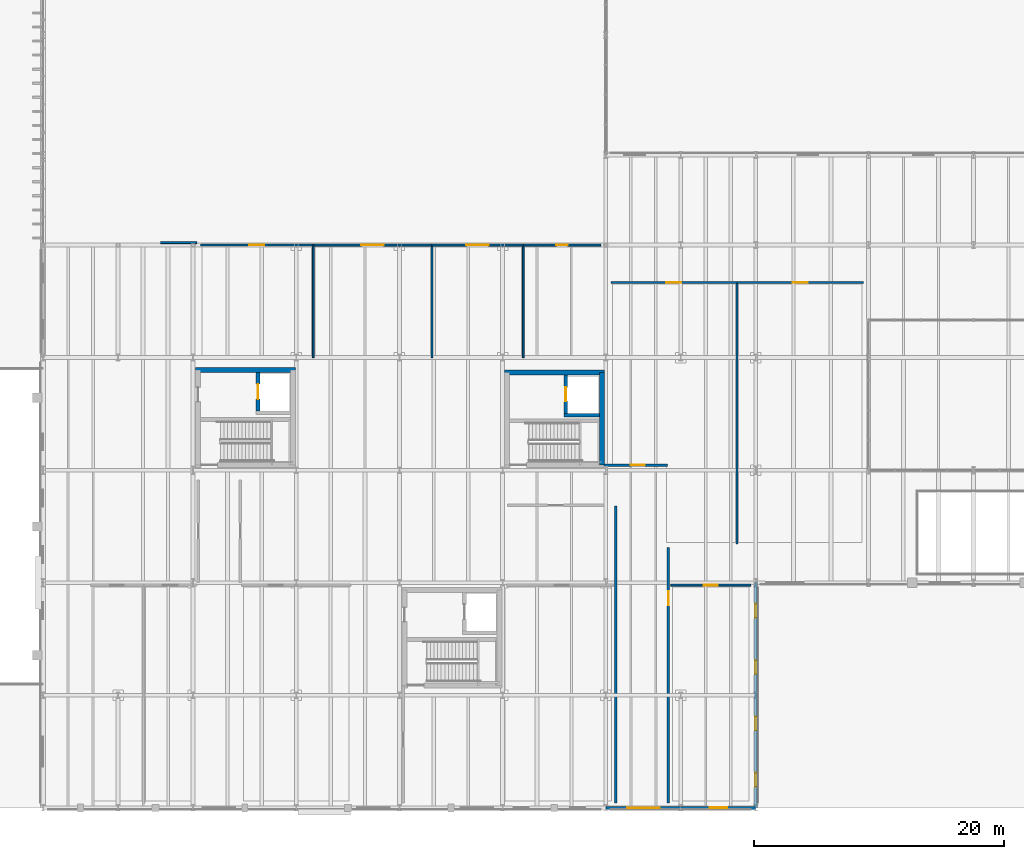
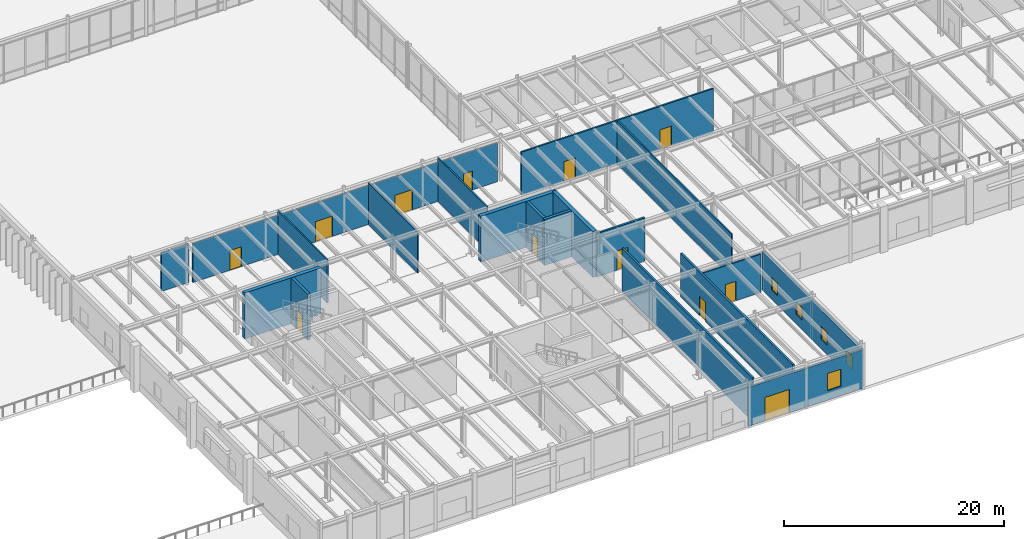
# One storey, part 41 of 64: 23 walls, 12 doors, 5 windows, 17 openings.
"""IFC4 building model written with IfcOpenShell, lengths in metres."""

from ifc_helpers import new_model, si_unit, direction, frame, frame_2d, origin, place, context, subcontext, project, spatial, rectangle, extrude, material, layer, layer_set, type_object, element, fill, save


model = new_model("IFC4")

# Units and contexts
model_context = context("Model", 3, precision=1e-05, world=origin(), true_north=direction((0.0, 1.0)))
body_context = subcontext(model_context, "Body", "Model", "MODEL_VIEW")
ifc_project = project(units=[si_unit("LENGTHUNIT", "METRE"), si_unit("AREAUNIT", "SQUARE_METRE"), si_unit("VOLUMEUNIT", "CUBIC_METRE"), si_unit("PLANEANGLEUNIT", "RADIAN"), si_unit("MASSUNIT", "GRAM", prefix="KILO")], contexts=[model_context])

# Site, building, storey
site_placement = place(None, origin())
site = spatial("IfcSite", under=ifc_project, at=site_placement, CompositionType="ELEMENT")
building_placement = place(site_placement, origin())
building = spatial("IfcBuilding", under=site, at=building_placement, Name="Montealbar Specialist Clinic", CompositionType="ELEMENT")
storey_placement = place(building_placement, origin())
storey = spatial("IfcBuildingStorey", under=building, at=storey_placement, Name="L00", CompositionType="ELEMENT", Elevation=0.0)

# Wall, opening, door
ifc_material_1 = material(Name="Concrete C35/45", Category="concrete")
ifc_layer_1 = layer(ifc_material_1, 0.300048828125, Name="Concrete C35/45", Category="concrete")
ifc_layer_set_1 = layer_set([ifc_layer_1], Name="Concrete C35/45")
wall_type_1 = type_object("IfcWallType", Name="WL-CORE-300", PredefinedType="SHEAR", material=ifc_layer_set_1)
wall_1_placement = place(storey_placement, frame((71.199951171875, 31.75, 0.0), z_axis=(0.0, 0.0, 1.0), x_axis=(0.0, 1.0, 0.0)))
wall_1 = element("IfcWall", 1, at=wall_1_placement, inside=storey, type_object=wall_type_1, Name="Lift FL-01 Shaft Wall L00 LW", PredefinedType="SHEAR", context=body_context, shape_type="SweptSolid", body=[
    extrude(rectangle(XDim=3.050048828125, YDim=0.300048828125, at=frame_2d((1.52490234375, 0.0))), origin(), (0.0, 0.0, 1.0), 5.10009765625),
])
opening_1_placement = place(wall_1_placement, frame((0.925048828125, 0.0, 0.0)))
opening_1 = element("IfcOpeningElement", 2, at=opening_1_placement, cuts=wall_1, Name="Opening LD-12", PredefinedType="OPENING", context=body_context, shape_type="SweptSolid", body=[
    extrude(rectangle(XDim=1.199951171875, YDim=2.14990234375, at=frame_2d((0.60009765625, 1.074951171875))), frame((0.0, 0.159912109375, 0.0), z_axis=(0.0, -1.0, 0.0), x_axis=(1.0, 0.0, 0.0)), (0.0, 0.0, 1.0), 0.320068359375),
])
ifc_material_2 = material(Name="Steel S355", Category="steel")
door_type_1 = type_object("IfcDoorType", Name="DR-LIFT-LD1200", OperationType="DOUBLE_DOOR_SLIDING", PredefinedType="DOOR", material=ifc_material_2)
door_1_placement = place(opening_1_placement, origin())
door_1 = element("IfcDoor", 3, at=door_1_placement, inside=storey, type_object=door_type_1, Name="Lift FL-01 Sliding Landing Door L00", OperationType="DOUBLE_DOOR_SLIDING", OverallHeight=2.14990234375, OverallWidth=1.199951171875, PredefinedType="DOOR", context=body_context, shape_type="SweptSolid", body=[
    extrude(rectangle(XDim=1.199951171875, YDim=2.14990234375, at=frame_2d((0.60009765625, 1.074951171875))), frame((0.0, 0.02490234375, 0.0), z_axis=(0.0, -1.0, 0.0), x_axis=(1.0, 0.0, 0.0)), (0.0, 0.0, 1.0), 0.050048828125),
])
fill(opening_1, door_1)

# Wall
wall_2_placement = place(storey_placement, frame((95.64990234375, 31.39990234375, 0.0), z_axis=(0.0, 0.0, 1.0), x_axis=(1.0, 0.0, 0.0)))
element("IfcWall", 4, at=wall_2_placement, inside=storey, type_object=wall_type_1, Name="Lift LF-03 Shaft Wall L00 LS", PredefinedType="SHEAR", context=body_context, shape_type="SweptSolid", body=[
    extrude(rectangle(XDim=2.85009765625, YDim=0.300048828125, at=frame_2d((1.425048828125, 0.0))), origin(), (0.0, 0.0, 1.0), 5.10009765625),
])

# Wall, opening, door
wall_3_placement = place(storey_placement, frame((95.800048828125, 31.550048828125, 0.0), z_axis=(0.0, 0.0, 1.0), x_axis=(0.0, 1.0, 0.0)))
wall_3 = element("IfcWall", 5, at=wall_3_placement, inside=storey, type_object=wall_type_1, Name="Lift LF-03 Shaft Wall L00 LW", PredefinedType="SHEAR", context=body_context, shape_type="SweptSolid", body=[
    extrude(rectangle(XDim=3.050048828125, YDim=0.300048828125, at=frame_2d((1.52490234375, 0.0))), origin(), (0.0, 0.0, 1.0), 5.10009765625),
])
opening_2_placement = place(wall_3_placement, frame((0.97509765625, 0.0, 0.0)))
opening_2 = element("IfcOpeningElement", 6, at=opening_2_placement, cuts=wall_3, Name="Opening LD-11", PredefinedType="OPENING", context=body_context, shape_type="SweptSolid", body=[
    extrude(rectangle(XDim=1.10009765625, YDim=2.14990234375, at=frame_2d((0.550048828125, 1.074951171875))), frame((0.0, 0.159912109375, 0.0), z_axis=(0.0, -1.0, 0.0), x_axis=(1.0, 0.0, 0.0)), (0.0, 0.0, 1.0), 0.320068359375),
])
door_type_2 = type_object("IfcDoorType", Name="DR-LIFT-LD1100", OperationType="DOUBLE_DOOR_SLIDING", PredefinedType="DOOR", material=ifc_material_2)
door_2_placement = place(opening_2_placement, origin())
door_2 = element("IfcDoor", 7, at=door_2_placement, inside=storey, type_object=door_type_2, Name="Lift LF-03 Sliding Landing Door L00", OperationType="DOUBLE_DOOR_SLIDING", OverallHeight=2.14990234375, OverallWidth=1.10009765625, PredefinedType="DOOR", context=body_context, shape_type="SweptSolid", body=[
    extrude(rectangle(XDim=1.10009765625, YDim=2.14990234375, at=frame_2d((0.550048828125, 1.074951171875))), frame((0.0, 0.02490234375, 0.0), z_axis=(0.0, -1.0, 0.0), x_axis=(1.0, 0.0, 0.0)), (0.0, 0.0, 1.0), 0.050048828125),
])
fill(opening_2, door_2)

# Walls
ifc_layer_2 = layer(ifc_material_1, 0.39990234375, Name="Concrete C35/45", Category="concrete")
ifc_layer_set_2 = layer_set([ifc_layer_2], Name="Concrete C35/45")
wall_type_2 = type_object("IfcWallType", Name="WL-CORE-400", PredefinedType="SHEAR", material=ifc_layer_set_2)
for number, where, z_axis, x_axis, name in (
    (8, (66.199951171875, 35.0, 0.0), (0.0, 0.0, 1.0), (1.0, 0.0, 0.0), "Core C3 Shear Wall L00 N"),
    (9, (90.89990234375, 34.800048828125, 0.0), (0.0, 0.0, 1.0), (1.0, 0.0, 0.0), "Core C5 Shear Wall L00 N"),
):
    element("IfcWall", number, at=place(storey_placement, frame(where, z_axis=z_axis, x_axis=x_axis)), inside=storey, type_object=wall_type_2, Name=name, PredefinedType="SHEAR", context=body_context, shape_type="SweptSolid", body=[
        extrude(rectangle(XDim=8.0, YDim=0.39990234375, at=frame_2d((4.0, 0.0))), origin(), (0.0, 0.0, 1.0), 5.10009765625),
    ])
wall_4_placement = place(storey_placement, frame((98.699951171875, 27.39990234375, 0.0), z_axis=(0.0, 0.0, 1.0), x_axis=(0.0, 1.0, 0.0)))
element("IfcWall", 10, at=wall_4_placement, inside=storey, type_object=wall_type_2, Name="Core C5 Shear Wall L00 E", PredefinedType="SHEAR", context=body_context, shape_type="SweptSolid", body=[
    extrude(rectangle(XDim=7.400146484375, YDim=0.39990234375, at=frame_2d((3.7001953125, 0.0))), origin(), (0.0, 0.0, 1.0), 5.10009765625),
])

# Wall, openings, door, window
ifc_material_3 = material(Name="Precast concrete C40/50", Category="concrete")
ifc_layer_3 = layer(ifc_material_3, 0.239990234375, Name="Precast concrete C40/50", Category="concrete")
ifc_layer_set_3 = layer_set([ifc_layer_3], Name="Precast concrete C40/50")
wall_type_3 = type_object("IfcWallType", Name="WL-EXT-CLINIC-240", PredefinedType="SOLIDWALL", material=ifc_layer_set_3)
wall_5_placement = place(storey_placement, frame((111.0, 0.0, 0.0), z_axis=(0.0, 0.0, 1.0), x_axis=(-1.0, 0.0, 0.0)))
wall_5 = element("IfcWall", 11, at=wall_5_placement, inside=storey, type_object=wall_type_3, Name="Exterior Facade Wall EW-L00-014", PredefinedType="SOLIDWALL", context=body_context, shape_type="SweptSolid", body=[
    extrude(rectangle(XDim=12.0, YDim=0.239990234375, at=frame_2d((6.0, 0.0))), origin(), (0.0, 0.0, 1.0), 4.31005859375),
])
opening_3_placement = place(wall_5_placement, frame((7.699951171875, 0.0, 0.0)))
opening_3 = element("IfcOpeningElement", 12, at=opening_3_placement, cuts=wall_5, Name="Opening ED-26", PredefinedType="OPENING", context=body_context, shape_type="SweptSolid", body=[
    extrude(rectangle(XDim=2.60009765625, YDim=2.60009765625, at=frame_2d((1.300048828125, 1.300048828125))), frame((0.0, 0.1298828125, 0.0), z_axis=(0.0, -1.0, 0.0), x_axis=(1.0, 0.0, 0.0)), (0.0, 0.0, 1.0), 0.260009765625),
])
opening_4_placement = place(wall_5_placement, frame((2.300048828125, 0.0, 1.050048828125)))
opening_4 = element("IfcOpeningElement", 13, at=opening_4_placement, cuts=wall_5, Name="Opening WN-14", PredefinedType="OPENING", context=body_context, shape_type="SweptSolid", body=[
    extrude(rectangle(XDim=1.39990234375, YDim=1.89990234375, at=frame_2d((0.699951171875, 0.949951171875))), frame((0.0, 0.1298828125, 0.0), z_axis=(0.0, -1.0, 0.0), x_axis=(1.0, 0.0, 0.0)), (0.0, 0.0, 1.0), 0.260009765625),
])
ifc_material_4 = material(Name="Powder-coated aluminium", Category="aluminium")
door_type_3 = type_object("IfcDoorType", Name="DR-PLAZA-W2600", OperationType="DOUBLE_DOOR_SINGLE_SWING", PredefinedType="DOOR", material=ifc_material_4)
door_3_placement = place(opening_3_placement, origin())
door_3 = element("IfcDoor", 14, at=door_3_placement, inside=storey, type_object=door_type_3, Name="Main South Clinical Entrance Portal EX-05", OperationType="DOUBLE_DOOR_SINGLE_SWING", OverallHeight=2.60009765625, OverallWidth=2.60009765625, PredefinedType="DOOR", context=body_context, shape_type="SweptSolid", body=[
    extrude(rectangle(XDim=2.60009765625, YDim=2.60009765625, at=frame_2d((1.300048828125, 1.300048828125))), frame((0.0, 0.02490234375, 0.0), z_axis=(0.0, -1.0, 0.0), x_axis=(1.0, 0.0, 0.0)), (0.0, 0.0, 1.0), 0.050048828125),
])
fill(opening_3, door_3)
ifc_material_5 = material(Name="Low-E double glazing", Category="glass")
window_type_1 = type_object("IfcWindowType", Name="WIN-WN-14", PartitioningType="SINGLE_PANEL", PredefinedType="WINDOW", material=ifc_material_5)
window_1_placement = place(opening_4_placement, origin())
window_1 = element("IfcWindow", 15, at=window_1_placement, inside=storey, type_object=window_type_1, Name="Clinical Facade Window WN-14 L00-0045", OverallHeight=1.89990234375, OverallWidth=1.39990234375, PartitioningType="SINGLE_PANEL", PredefinedType="WINDOW", context=body_context, shape_type="SweptSolid", body=[
    extrude(rectangle(XDim=1.39990234375, YDim=1.89990234375, at=frame_2d((0.699951171875, 0.949951171875))), frame((0.0, 0.030029296875, 0.0), z_axis=(0.0, -1.0, 0.0), x_axis=(1.0, 0.0, 0.0)), (0.0, 0.0, 1.0), 0.06005859375),
])
fill(opening_4, window_1)

# Wall, openings, windows
ifc_material_6 = material(Name="Terracotta architectural cladding", Category="masonry")
ifc_layer_4 = layer(ifc_material_6, 0.260009765625, Name="Terracotta architectural cladding", Category="masonry")
ifc_layer_set_4 = layer_set([ifc_layer_4], Name="Terracotta architectural cladding")
wall_type_4 = type_object("IfcWallType", Name="WL-EXT-TERRA-260", PredefinedType="SOLIDWALL", material=ifc_layer_set_4)
wall_6_placement = place(storey_placement, frame((111.0, 18.0, 0.0), z_axis=(0.0, 0.0, 1.0), x_axis=(0.0, -1.0, 0.0)))
wall_6 = element("IfcWall", 16, at=wall_6_placement, inside=storey, type_object=wall_type_4, Name="Exterior Facade Wall EW-L00-013", PredefinedType="SOLIDWALL", context=body_context, shape_type="SweptSolid", body=[
    extrude(rectangle(XDim=18.0, YDim=0.260009765625, at=frame_2d((9.0, 0.0))), origin(), (0.0, 0.0, 1.0), 4.31005859375),
])
opening_5_placement = place(wall_6_placement, frame((1.699951171875, 0.0, 1.050048828125)))
opening_5 = element("IfcOpeningElement", 17, at=opening_5_placement, cuts=wall_6, Name="Opening WN-13", PredefinedType="OPENING", context=body_context, shape_type="SweptSolid", body=[
    extrude(rectangle(XDim=1.10009765625, YDim=1.39990234375, at=frame_2d((0.550048828125, 0.699951171875))), frame((0.0, 0.139892578125, 0.0), z_axis=(0.0, -1.0, 0.0), x_axis=(1.0, 0.0, 0.0)), (0.0, 0.0, 1.0), 0.280029296875),
])
opening_6_placement = place(wall_6_placement, frame((6.199951171875, 0.0, 1.050048828125)))
opening_6 = element("IfcOpeningElement", 18, at=opening_6_placement, cuts=wall_6, Name="Opening WN-13", PredefinedType="OPENING", context=body_context, shape_type="SweptSolid", body=[
    extrude(rectangle(XDim=1.10009765625, YDim=1.39990234375, at=frame_2d((0.550048828125, 0.699951171875))), frame((0.0, 0.139892578125, 0.0), z_axis=(0.0, -1.0, 0.0), x_axis=(1.0, 0.0, 0.0)), (0.0, 0.0, 1.0), 0.280029296875),
])
opening_7_placement = place(wall_6_placement, frame((10.699951171875, 0.0, 1.050048828125)))
opening_7 = element("IfcOpeningElement", 19, at=opening_7_placement, cuts=wall_6, Name="Opening WN-13", PredefinedType="OPENING", context=body_context, shape_type="SweptSolid", body=[
    extrude(rectangle(XDim=1.10009765625, YDim=1.39990234375, at=frame_2d((0.550048828125, 0.699951171875))), frame((0.0, 0.139892578125, 0.0), z_axis=(0.0, -1.0, 0.0), x_axis=(1.0, 0.0, 0.0)), (0.0, 0.0, 1.0), 0.280029296875),
])
opening_8_placement = place(wall_6_placement, frame((15.199951171875, 0.0, 1.050048828125)))
opening_8 = element("IfcOpeningElement", 20, at=opening_8_placement, cuts=wall_6, Name="Opening WN-13", PredefinedType="OPENING", context=body_context, shape_type="SweptSolid", body=[
    extrude(rectangle(XDim=1.10009765625, YDim=1.39990234375, at=frame_2d((0.550048828125, 0.699951171875))), frame((0.0, 0.139892578125, 0.0), z_axis=(0.0, -1.0, 0.0), x_axis=(1.0, 0.0, 0.0)), (0.0, 0.0, 1.0), 0.280029296875),
])
window_type_2 = type_object("IfcWindowType", Name="WIN-WN-13", PartitioningType="SINGLE_PANEL", PredefinedType="WINDOW", material=ifc_material_5)
window_2_placement = place(opening_5_placement, origin())
window_2 = element("IfcWindow", 21, at=window_2_placement, inside=storey, type_object=window_type_2, Name="Clinical Facade Window WN-13 L00-0041", OverallHeight=1.39990234375, OverallWidth=1.10009765625, PartitioningType="SINGLE_PANEL", PredefinedType="WINDOW", context=body_context, shape_type="SweptSolid", body=[
    extrude(rectangle(XDim=1.10009765625, YDim=1.39990234375, at=frame_2d((0.550048828125, 0.699951171875))), frame((0.0, 0.030029296875, 0.0), z_axis=(0.0, -1.0, 0.0), x_axis=(1.0, 0.0, 0.0)), (0.0, 0.0, 1.0), 0.06005859375),
])
fill(opening_5, window_2)
window_3_placement = place(opening_6_placement, origin())
window_3 = element("IfcWindow", 22, at=window_3_placement, inside=storey, type_object=window_type_2, Name="Clinical Facade Window WN-13 L00-0042", OverallHeight=1.39990234375, OverallWidth=1.10009765625, PartitioningType="SINGLE_PANEL", PredefinedType="WINDOW", context=body_context, shape_type="SweptSolid", body=[
    extrude(rectangle(XDim=1.10009765625, YDim=1.39990234375, at=frame_2d((0.550048828125, 0.699951171875))), frame((0.0, 0.030029296875, 0.0), z_axis=(0.0, -1.0, 0.0), x_axis=(1.0, 0.0, 0.0)), (0.0, 0.0, 1.0), 0.06005859375),
])
fill(opening_6, window_3)
window_4_placement = place(opening_7_placement, origin())
window_4 = element("IfcWindow", 23, at=window_4_placement, inside=storey, type_object=window_type_2, Name="Clinical Facade Window WN-13 L00-0043", OverallHeight=1.39990234375, OverallWidth=1.10009765625, PartitioningType="SINGLE_PANEL", PredefinedType="WINDOW", context=body_context, shape_type="SweptSolid", body=[
    extrude(rectangle(XDim=1.10009765625, YDim=1.39990234375, at=frame_2d((0.550048828125, 0.699951171875))), frame((0.0, 0.030029296875, 0.0), z_axis=(0.0, -1.0, 0.0), x_axis=(1.0, 0.0, 0.0)), (0.0, 0.0, 1.0), 0.06005859375),
])
fill(opening_7, window_4)
window_5_placement = place(opening_8_placement, origin())
window_5 = element("IfcWindow", 24, at=window_5_placement, inside=storey, type_object=window_type_2, Name="Clinical Facade Window WN-13 L00-0044", OverallHeight=1.39990234375, OverallWidth=1.10009765625, PartitioningType="SINGLE_PANEL", PredefinedType="WINDOW", context=body_context, shape_type="SweptSolid", body=[
    extrude(rectangle(XDim=1.10009765625, YDim=1.39990234375, at=frame_2d((0.550048828125, 0.699951171875))), frame((0.0, 0.030029296875, 0.0), z_axis=(0.0, -1.0, 0.0), x_axis=(1.0, 0.0, 0.0)), (0.0, 0.0, 1.0), 0.06005859375),
])
fill(opening_8, window_5)

# Walls
ifc_material_7 = material(Name="Gypsum acoustic partition", Category="gypsum")
ifc_layer_5 = layer(ifc_material_7, 0.139892578125, Name="Gypsum acoustic partition", Category="gypsum")
ifc_layer_set_5 = layer_set([ifc_layer_5], Name="Gypsum acoustic partition")
wall_type_5 = type_object("IfcWallType", Name="WL-PART-ACOUSTIC-140", PredefinedType="PARTITIONING", material=ifc_layer_set_5)
wall_7_placement = place(storey_placement, frame((75.60009765625, 36.0, 0.0), z_axis=(0.0, 0.0, 1.0), x_axis=(0.0, 1.0, 0.0)))
element("IfcWall", 25, at=wall_7_placement, inside=storey, type_object=wall_type_5, Name="Clinical Partition PART-L00-0049", PredefinedType="PARTITIONING", context=body_context, shape_type="SweptSolid", body=[
    extrude(rectangle(XDim=9.0, YDim=0.139892578125, at=frame_2d((4.5, 0.0))), origin(), (0.0, 0.0, 1.0), 4.820068359375),
])
wall_8_placement = place(storey_placement, frame((85.10009765625, 36.0, 0.0), z_axis=(0.0, 0.0, 1.0), x_axis=(0.0, 1.0, 0.0)))
element("IfcWall", 26, at=wall_8_placement, inside=storey, type_object=wall_type_5, Name="Clinical Partition PART-L00-0051", PredefinedType="PARTITIONING", context=body_context, shape_type="SweptSolid", body=[
    extrude(rectangle(XDim=9.0, YDim=0.139892578125, at=frame_2d((4.5, 0.0))), origin(), (0.0, 0.0, 1.0), 4.580078125),
])
wall_9_placement = place(storey_placement, frame((92.39990234375, 36.0, 0.0), z_axis=(0.0, 0.0, 1.0), x_axis=(0.0, 1.0, 0.0)))
element("IfcWall", 27, at=wall_9_placement, inside=storey, type_object=wall_type_5, Name="Clinical Partition PART-L00-0053", PredefinedType="PARTITIONING", context=body_context, shape_type="SweptSolid", body=[
    extrude(rectangle(XDim=9.0, YDim=0.139892578125, at=frame_2d((4.5, 0.0))), origin(), (0.0, 0.0, 1.0), 4.820068359375),
])
wall_10_placement = place(storey_placement, frame((109.5, 21.10009765625, 0.0), z_axis=(0.0, 0.0, 1.0), x_axis=(0.0, 1.0, 0.0)))
element("IfcWall", 28, at=wall_10_placement, inside=storey, type_object=wall_type_5, Name="Clinical Partition PART-L00-0062", PredefinedType="PARTITIONING", context=body_context, shape_type="SweptSolid", body=[
    extrude(rectangle(XDim=20.89990234375, YDim=0.139892578125, at=frame_2d((10.449951171875, 0.0))), origin(), (0.0, 0.0, 1.0), 4.820068359375),
])
ifc_layer_6 = layer(ifc_material_7, 0.159912109375, Name="Gypsum acoustic partition", Category="gypsum")
ifc_layer_set_6 = layer_set([ifc_layer_6], Name="Gypsum acoustic partition")
wall_type_6 = type_object("IfcWallType", Name="WL-PART-CLINIC-160", PredefinedType="PARTITIONING", material=ifc_layer_set_6)
wall_11_placement = place(storey_placement, frame((63.39990234375, 45.199951171875, 0.0), z_axis=(0.0, 0.0, 1.0), x_axis=(1.0, 0.0, 0.0)))
element("IfcWall", 29, at=wall_11_placement, inside=storey, type_object=wall_type_6, Name="Clinical Partition PART-L00-0047", PredefinedType="PARTITIONING", context=body_context, shape_type="SweptSolid", body=[
    extrude(rectangle(XDim=2.900146484375, YDim=0.159912109375, at=frame_2d((1.4501953125, 0.0))), origin(), (0.0, 0.0, 1.0), 4.31005859375),
])

# Wall, opening, door
wall_12_placement = place(storey_placement, frame((66.60009765625, 45.0, 0.0), z_axis=(0.0, 0.0, 1.0), x_axis=(1.0, 0.0, 0.0)))
wall_12 = element("IfcWall", 30, at=wall_12_placement, inside=storey, type_object=wall_type_6, Name="Clinical Partition PART-L00-0048", PredefinedType="PARTITIONING", context=body_context, shape_type="SweptSolid", body=[
    extrude(rectangle(XDim=9.0, YDim=0.159912109375, at=frame_2d((4.5, 0.0))), origin(), (0.0, 0.0, 1.0), 4.31005859375),
])
opening_9_placement = place(wall_12_placement, frame((3.89990234375, 0.0, 0.0)))
opening_9 = element("IfcOpeningElement", 31, at=opening_9_placement, cuts=wall_12, Name="Opening ID-120", PredefinedType="OPENING", context=body_context, shape_type="SweptSolid", body=[
    extrude(rectangle(XDim=1.199951171875, YDim=2.199951171875, at=frame_2d((0.60009765625, 1.10009765625))), frame((0.0, 0.08984375, 0.0), z_axis=(0.0, -1.0, 0.0), x_axis=(1.0, 0.0, 0.0)), (0.0, 0.0, 1.0), 0.179931640625),
])
ifc_material_8 = material(Name="Acoustic timber leaf", Category="wood")
door_type_4 = type_object("IfcDoorType", Name="DR-CLIN-W1200", OperationType="NOTDEFINED", PredefinedType="DOOR", material=ifc_material_8)
door_4_placement = place(opening_9_placement, origin())
door_4 = element("IfcDoor", 32, at=door_4_placement, inside=storey, type_object=door_type_4, Name="Clinical Room Door IDR-L00-0034", OperationType="SINGLE_SWING_RIGHT", OverallHeight=2.199951171875, OverallWidth=1.199951171875, PredefinedType="DOOR", context=body_context, shape_type="SweptSolid", body=[
    extrude(rectangle(XDim=1.199951171875, YDim=2.199951171875, at=frame_2d((0.60009765625, 1.10009765625))), frame((0.0, 0.02490234375, 0.0), z_axis=(0.0, -1.0, 0.0), x_axis=(1.0, 0.0, 0.0)), (0.0, 0.0, 1.0), 0.050048828125),
])
fill(opening_9, door_4)

wall_13_placement = place(storey_placement, frame((75.60009765625, 45.0, 0.0), z_axis=(0.0, 0.0, 1.0), x_axis=(1.0, 0.0, 0.0)))
wall_13 = element("IfcWall", 33, at=wall_13_placement, inside=storey, type_object=wall_type_6, Name="Clinical Partition PART-L00-0050", PredefinedType="PARTITIONING", context=body_context, shape_type="SweptSolid", body=[
    extrude(rectangle(XDim=9.5, YDim=0.159912109375, at=frame_2d((4.75, 0.0))), origin(), (0.0, 0.0, 1.0), 4.31005859375),
])
opening_10_placement = place(wall_13_placement, frame((3.85009765625, 0.0, 0.0)))
opening_10 = element("IfcOpeningElement", 34, at=opening_10_placement, cuts=wall_13, Name="Opening ID-180", PredefinedType="OPENING", context=body_context, shape_type="SweptSolid", body=[
    extrude(rectangle(XDim=1.800048828125, YDim=2.25, at=frame_2d((0.89990234375, 1.125))), frame((0.0, 0.08984375, 0.0), z_axis=(0.0, -1.0, 0.0), x_axis=(1.0, 0.0, 0.0)), (0.0, 0.0, 1.0), 0.179931640625),
])
door_type_5 = type_object("IfcDoorType", Name="DR-DBL-W1800", OperationType="DOUBLE_DOOR_SINGLE_SWING", PredefinedType="DOOR", material=ifc_material_8)
door_5_placement = place(opening_10_placement, origin())
door_5 = element("IfcDoor", 35, at=door_5_placement, inside=storey, type_object=door_type_5, Name="Clinical Room Door IDR-L00-0035", OperationType="DOUBLE_DOOR_SINGLE_SWING", OverallHeight=2.25, OverallWidth=1.800048828125, PredefinedType="DOOR", context=body_context, shape_type="SweptSolid", body=[
    extrude(rectangle(XDim=1.800048828125, YDim=2.25, at=frame_2d((0.89990234375, 1.125))), frame((0.0, 0.02490234375, 0.0), z_axis=(0.0, -1.0, 0.0), x_axis=(1.0, 0.0, 0.0)), (0.0, 0.0, 1.0), 0.050048828125),
])
fill(opening_10, door_5)

wall_14_placement = place(storey_placement, frame((85.10009765625, 45.0, 0.0), z_axis=(0.0, 0.0, 1.0), x_axis=(1.0, 0.0, 0.0)))
wall_14 = element("IfcWall", 36, at=wall_14_placement, inside=storey, type_object=wall_type_6, Name="Clinical Partition PART-L00-0052", PredefinedType="PARTITIONING", context=body_context, shape_type="SweptSolid", body=[
    extrude(rectangle(XDim=7.2998046875, YDim=0.159912109375, at=frame_2d((3.64990234375, 0.0))), origin(), (0.0, 0.0, 1.0), 4.31005859375),
])
opening_11_placement = place(wall_14_placement, frame((2.75, 0.0, 0.0)))
opening_11 = element("IfcOpeningElement", 37, at=opening_11_placement, cuts=wall_14, Name="Opening ID-180", PredefinedType="OPENING", context=body_context, shape_type="SweptSolid", body=[
    extrude(rectangle(XDim=1.800048828125, YDim=2.25, at=frame_2d((0.89990234375, 1.125))), frame((0.0, 0.08984375, 0.0), z_axis=(0.0, -1.0, 0.0), x_axis=(1.0, 0.0, 0.0)), (0.0, 0.0, 1.0), 0.179931640625),
])
door_6_placement = place(opening_11_placement, origin())
door_6 = element("IfcDoor", 38, at=door_6_placement, inside=storey, type_object=door_type_5, Name="Clinical Room Door IDR-L00-0036", OperationType="DOUBLE_DOOR_SINGLE_SWING", OverallHeight=2.25, OverallWidth=1.800048828125, PredefinedType="DOOR", context=body_context, shape_type="SweptSolid", body=[
    extrude(rectangle(XDim=1.800048828125, YDim=2.25, at=frame_2d((0.89990234375, 1.125))), frame((0.0, 0.02490234375, 0.0), z_axis=(0.0, -1.0, 0.0), x_axis=(1.0, 0.0, 0.0)), (0.0, 0.0, 1.0), 0.050048828125),
])
fill(opening_11, door_6)

wall_15_placement = place(storey_placement, frame((92.39990234375, 45.0, 0.0), z_axis=(0.0, 0.0, 1.0), x_axis=(1.0, 0.0, 0.0)))
wall_15 = element("IfcWall", 39, at=wall_15_placement, inside=storey, type_object=wall_type_6, Name="Clinical Partition PART-L00-0054", PredefinedType="PARTITIONING", context=body_context, shape_type="SweptSolid", body=[
    extrude(rectangle(XDim=6.2001953125, YDim=0.159912109375, at=frame_2d((3.10009765625, 0.0))), origin(), (0.0, 0.0, 1.0), 4.31005859375),
])
opening_12_placement = place(wall_15_placement, frame((2.625, 0.0, 0.0)))
opening_12 = element("IfcOpeningElement", 40, at=opening_12_placement, cuts=wall_15, Name="Opening ID-095", PredefinedType="OPENING", context=body_context, shape_type="SweptSolid", body=[
    extrude(rectangle(XDim=0.949951171875, YDim=2.10009765625, at=frame_2d((0.47509765625, 1.050048828125))), frame((0.0, 0.08984375, 0.0), z_axis=(0.0, -1.0, 0.0), x_axis=(1.0, 0.0, 0.0)), (0.0, 0.0, 1.0), 0.179931640625),
])
door_type_6 = type_object("IfcDoorType", Name="DR-WC-W0950", OperationType="NOTDEFINED", PredefinedType="DOOR", material=ifc_material_8)
door_7_placement = place(opening_12_placement, origin())
door_7 = element("IfcDoor", 41, at=door_7_placement, inside=storey, type_object=door_type_6, Name="Clinical Room Door IDR-L00-0037", OperationType="SINGLE_SWING_LEFT", OverallHeight=2.10009765625, OverallWidth=0.949951171875, PredefinedType="DOOR", context=body_context, shape_type="SweptSolid", body=[
    extrude(rectangle(XDim=0.949951171875, YDim=2.10009765625, at=frame_2d((0.47509765625, 1.050048828125))), frame((0.0, 0.02490234375, 0.0), z_axis=(0.0, -1.0, 0.0), x_axis=(1.0, 0.0, 0.0)), (0.0, 0.0, 1.0), 0.050048828125),
])
fill(opening_12, door_7)

wall_16_placement = place(storey_placement, frame((104.199951171875, 17.800048828125, 0.0), z_axis=(0.0, 0.0, 1.0), x_axis=(1.0, 0.0, 0.0)))
wall_16 = element("IfcWall", 42, at=wall_16_placement, inside=storey, type_object=wall_type_6, Name="Clinical Partition PART-L00-0060", PredefinedType="PARTITIONING", context=body_context, shape_type="SweptSolid", body=[
    extrude(rectangle(XDim=6.400146484375, YDim=0.159912109375, at=frame_2d((3.2001953125, 0.0))), origin(), (0.0, 0.0, 1.0), 4.260009765625),
])
opening_13_placement = place(wall_16_placement, frame((2.64990234375, 0.0, 0.0)))
opening_13 = element("IfcOpeningElement", 43, at=opening_13_placement, cuts=wall_16, Name="Opening ID-110", PredefinedType="OPENING", context=body_context, shape_type="SweptSolid", body=[
    extrude(rectangle(XDim=1.10009765625, YDim=2.14990234375, at=frame_2d((0.550048828125, 1.074951171875))), frame((0.0, 0.08984375, 0.0), z_axis=(0.0, -1.0, 0.0), x_axis=(1.0, 0.0, 0.0)), (0.0, 0.0, 1.0), 0.179931640625),
])
door_type_7 = type_object("IfcDoorType", Name="DR-CLIN-W1100", OperationType="NOTDEFINED", PredefinedType="DOOR", material=ifc_material_8)
door_8_placement = place(opening_13_placement, origin())
door_8 = element("IfcDoor", 44, at=door_8_placement, inside=storey, type_object=door_type_7, Name="Clinical Room Door IDR-L00-0042", OperationType="SINGLE_SWING_RIGHT", OverallHeight=2.14990234375, OverallWidth=1.10009765625, PredefinedType="DOOR", context=body_context, shape_type="SweptSolid", body=[
    extrude(rectangle(XDim=1.10009765625, YDim=2.14990234375, at=frame_2d((0.550048828125, 1.074951171875))), frame((0.0, 0.02490234375, 0.0), z_axis=(0.0, -1.0, 0.0), x_axis=(1.0, 0.0, 0.0)), (0.0, 0.0, 1.0), 0.050048828125),
])
fill(opening_13, door_8)

wall_17_placement = place(storey_placement, frame((99.39990234375, 42.0, 0.0), z_axis=(0.0, 0.0, 1.0), x_axis=(1.0, 0.0, 0.0)))
wall_17 = element("IfcWall", 45, at=wall_17_placement, inside=storey, type_object=wall_type_6, Name="Clinical Partition PART-L00-0061", PredefinedType="PARTITIONING", context=body_context, shape_type="SweptSolid", body=[
    extrude(rectangle(XDim=10.10009765625, YDim=0.159912109375, at=frame_2d((5.050048828125, 0.0))), origin(), (0.0, 0.0, 1.0), 4.820068359375),
])
opening_14_placement = place(wall_17_placement, frame((4.449951171875, 0.0, 0.0)))
opening_14 = element("IfcOpeningElement", 46, at=opening_14_placement, cuts=wall_17, Name="Opening ID-120", PredefinedType="OPENING", context=body_context, shape_type="SweptSolid", body=[
    extrude(rectangle(XDim=1.199951171875, YDim=2.199951171875, at=frame_2d((0.60009765625, 1.10009765625))), frame((0.0, 0.08984375, 0.0), z_axis=(0.0, -1.0, 0.0), x_axis=(1.0, 0.0, 0.0)), (0.0, 0.0, 1.0), 0.179931640625),
])
door_9_placement = place(opening_14_placement, origin())
door_9 = element("IfcDoor", 47, at=door_9_placement, inside=storey, type_object=door_type_4, Name="Clinical Room Door IDR-L00-0043", OperationType="SINGLE_SWING_LEFT", OverallHeight=2.199951171875, OverallWidth=1.199951171875, PredefinedType="DOOR", context=body_context, shape_type="SweptSolid", body=[
    extrude(rectangle(XDim=1.199951171875, YDim=2.199951171875, at=frame_2d((0.60009765625, 1.10009765625))), frame((0.0, 0.02490234375, 0.0), z_axis=(0.0, -1.0, 0.0), x_axis=(1.0, 0.0, 0.0)), (0.0, 0.0, 1.0), 0.050048828125),
])
fill(opening_14, door_9)

wall_18_placement = place(storey_placement, frame((109.5, 42.0, 0.0), z_axis=(0.0, 0.0, 1.0), x_axis=(1.0, 0.0, 0.0)))
wall_18 = element("IfcWall", 48, at=wall_18_placement, inside=storey, type_object=wall_type_6, Name="Clinical Partition PART-L00-0063", PredefinedType="PARTITIONING", context=body_context, shape_type="SweptSolid", body=[
    extrude(rectangle(XDim=10.10009765625, YDim=0.159912109375, at=frame_2d((5.050048828125, 0.0))), origin(), (0.0, 0.0, 1.0), 4.820068359375),
])
opening_15_placement = place(wall_18_placement, frame((4.449951171875, 0.0, 0.0)))
opening_15 = element("IfcOpeningElement", 49, at=opening_15_placement, cuts=wall_18, Name="Opening ID-120", PredefinedType="OPENING", context=body_context, shape_type="SweptSolid", body=[
    extrude(rectangle(XDim=1.199951171875, YDim=2.199951171875, at=frame_2d((0.60009765625, 1.10009765625))), frame((0.0, 0.08984375, 0.0), z_axis=(0.0, -1.0, 0.0), x_axis=(1.0, 0.0, 0.0)), (0.0, 0.0, 1.0), 0.179931640625),
])
door_10_placement = place(opening_15_placement, origin())
door_10 = element("IfcDoor", 50, at=door_10_placement, inside=storey, type_object=door_type_4, Name="Clinical Room Door IDR-L00-0044", OperationType="SINGLE_SWING_RIGHT", OverallHeight=2.199951171875, OverallWidth=1.199951171875, PredefinedType="DOOR", context=body_context, shape_type="SweptSolid", body=[
    extrude(rectangle(XDim=1.199951171875, YDim=2.199951171875, at=frame_2d((0.60009765625, 1.10009765625))), frame((0.0, 0.02490234375, 0.0), z_axis=(0.0, -1.0, 0.0), x_axis=(1.0, 0.0, 0.0)), (0.0, 0.0, 1.0), 0.050048828125),
])
fill(opening_15, door_10)

ifc_material_9 = material(Name="Concrete C30/37", Category="concrete")
ifc_layer_7 = layer(ifc_material_9, 0.199951171875, Name="Concrete C30/37", Category="concrete")
ifc_layer_set_7 = layer_set([ifc_layer_7], Name="Concrete C30/37")
wall_type_7 = type_object("IfcWallType", Name="WL-PART-FIRE-200", PredefinedType="PARTITIONING", material=ifc_layer_set_7)
wall_19_placement = place(storey_placement, frame((98.85009765625, 27.39990234375, 0.0), z_axis=(0.0, 0.0, 1.0), x_axis=(1.0, 0.0, 0.0)))
wall_19 = element("IfcWall", 51, at=wall_19_placement, inside=storey, type_object=wall_type_7, Name="Clinical Partition PART-L00-0042", PredefinedType="PARTITIONING", context=body_context, shape_type="SweptSolid", body=[
    extrude(rectangle(XDim=5.099853515625, YDim=0.199951171875, at=frame_2d((2.5498046875, 0.0))), origin(), (0.0, 0.0, 1.0), 4.820068359375),
])
opening_16_placement = place(wall_19_placement, frame((2.159912109375, 0.0, 0.0)))
opening_16 = element("IfcOpeningElement", 52, at=opening_16_placement, cuts=wall_19, Name="Opening FD-110", PredefinedType="OPENING", context=body_context, shape_type="SweptSolid", body=[
    extrude(rectangle(XDim=1.1201171875, YDim=2.14990234375, at=frame_2d((0.56005859375, 1.074951171875))), frame((0.0, 0.10986328125, 0.0), z_axis=(0.0, -1.0, 0.0), x_axis=(1.0, 0.0, 0.0)), (0.0, 0.0, 1.0), 0.219970703125),
])
door_type_8 = type_object("IfcDoorType", Name="DR-FIRE-W1100", OperationType="NOTDEFINED", PredefinedType="DOOR", material=ifc_material_2)
door_11_placement = place(opening_16_placement, frame((1.1201171875, 0.0, 0.0), z_axis=(0.0, 0.0, 1.0), x_axis=(-1.0, 0.0, 0.0)))
door_11 = element("IfcDoor", 53, at=door_11_placement, inside=storey, type_object=door_type_8, Name="Clinical Room Door IDR-L00-0030", OperationType="SINGLE_SWING_RIGHT", OverallHeight=2.14990234375, OverallWidth=1.1201171875, PredefinedType="DOOR", context=body_context, shape_type="SweptSolid", body=[
    extrude(rectangle(XDim=1.1201171875, YDim=2.14990234375, at=frame_2d((0.56005859375, 1.074951171875))), frame((0.0, 0.02490234375, 0.0), z_axis=(0.0, -1.0, 0.0), x_axis=(1.0, 0.0, 0.0)), (0.0, 0.0, 1.0), 0.050048828125),
])
fill(opening_16, door_11)

# Wall
wall_20_placement = place(storey_placement, frame((99.780029296875, 0.39990234375, 0.0), z_axis=(0.0, 0.0, 1.0), x_axis=(0.0, 1.0, 0.0)))
element("IfcWall", 54, at=wall_20_placement, inside=storey, type_object=wall_type_7, Name="Clinical Partition PART-L00-0043", PredefinedType="PARTITIONING", context=body_context, shape_type="SweptSolid", body=[
    extrude(rectangle(XDim=23.75, YDim=0.199951171875, at=frame_2d((11.875, 0.0))), origin(), (0.0, 0.0, 1.0), 4.820068359375),
])

# Wall, opening, door
wall_21_placement = place(storey_placement, frame((104.0, 0.39990234375, 0.0), z_axis=(0.0, 0.0, 1.0), x_axis=(0.0, 1.0, 0.0)))
wall_21 = element("IfcWall", 55, at=wall_21_placement, inside=storey, type_object=wall_type_7, Name="Clinical Partition PART-L00-0044", PredefinedType="PARTITIONING", context=body_context, shape_type="SweptSolid", body=[
    extrude(rectangle(XDim=20.400146484375, YDim=0.199951171875, at=frame_2d((10.2001953125, 0.0))), origin(), (0.0, 0.0, 1.0), 4.820068359375),
])
opening_17_placement = place(wall_21_placement, frame((15.81005859375, 0.0, 0.0)))
opening_17 = element("IfcOpeningElement", 56, at=opening_17_placement, cuts=wall_21, Name="Opening FD-110", PredefinedType="OPENING", context=body_context, shape_type="SweptSolid", body=[
    extrude(rectangle(XDim=1.1201171875, YDim=2.14990234375, at=frame_2d((0.56005859375, 1.074951171875))), frame((0.0, 0.10986328125, 0.0), z_axis=(0.0, -1.0, 0.0), x_axis=(1.0, 0.0, 0.0)), (0.0, 0.0, 1.0), 0.219970703125),
])
door_12_placement = place(opening_17_placement, frame((1.1201171875, 0.0, 0.0), z_axis=(0.0, 0.0, 1.0), x_axis=(-1.0, 0.0, 0.0)))
door_12 = element("IfcDoor", 57, at=door_12_placement, inside=storey, type_object=door_type_8, Name="Clinical Room Door IDR-L00-0031", OperationType="SINGLE_SWING_LEFT", OverallHeight=2.14990234375, OverallWidth=1.1201171875, PredefinedType="DOOR", context=body_context, shape_type="SweptSolid", body=[
    extrude(rectangle(XDim=1.1201171875, YDim=2.14990234375, at=frame_2d((0.56005859375, 1.074951171875))), frame((0.0, 0.02490234375, 0.0), z_axis=(0.0, -1.0, 0.0), x_axis=(1.0, 0.0, 0.0)), (0.0, 0.0, 1.0), 0.050048828125),
])
fill(opening_17, door_12)

save(model, "model.ifc")
